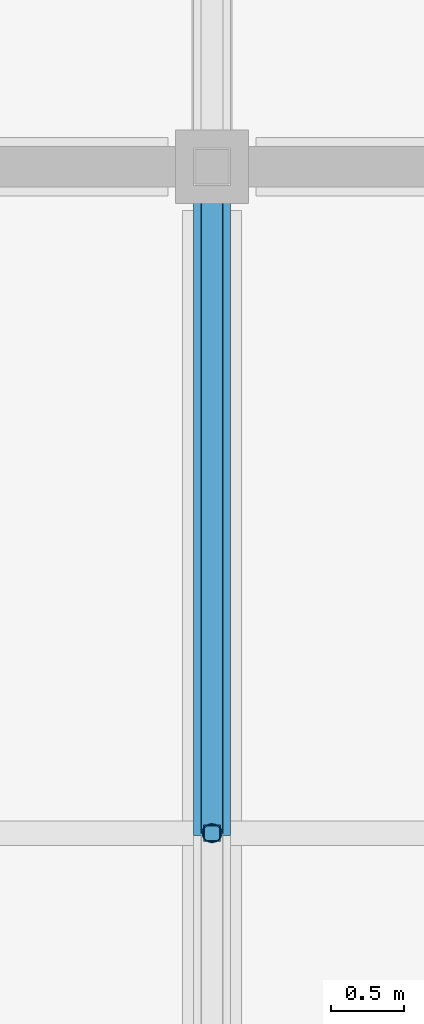
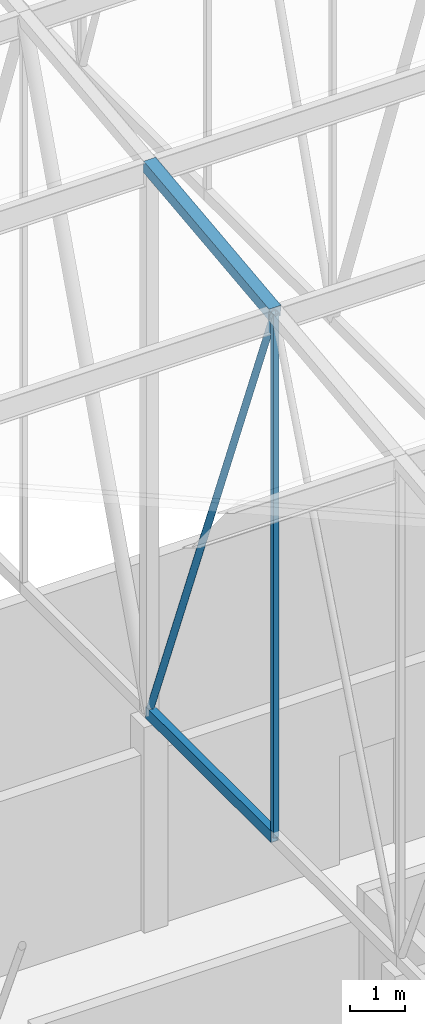
# One storey, part 155 of 500: 4 members.
"""IFC4 building model written with IfcOpenShell, lengths in metres."""

from ifc_helpers import new_model, si_unit, direction, frame, origin, origin_2d, place, context, subcontext, project, spatial, hollow_rectangle, hollow_circle, extrude, material, material_profile, profile_set, type_object, element, save


model = new_model("IFC4")

# Units and contexts
model_context = context("Model", 3, precision=1e-05, world=origin(), true_north=direction((0.0, 1.0)))
body_context = subcontext(model_context, "Body", "Model", "MODEL_VIEW")
ifc_project = project(units=[si_unit("LENGTHUNIT", "METRE"), si_unit("AREAUNIT", "SQUARE_METRE"), si_unit("VOLUMEUNIT", "CUBIC_METRE"), si_unit("PLANEANGLEUNIT", "RADIAN"), si_unit("MASSUNIT", "GRAM", prefix="KILO")], contexts=[model_context])

# Site, building, storey
site_placement = place(None, origin())
site = spatial("IfcSite", under=ifc_project, at=site_placement, CompositionType="ELEMENT")
building_placement = place(site_placement, origin())
building = spatial("IfcBuilding", under=site, at=building_placement, Name="Shirokan Park Arena", CompositionType="ELEMENT")
storey_placement = place(building_placement, frame((0.0, 0.0, 29.1201171875)))
storey = spatial("IfcBuildingStorey", under=building, at=storey_placement, Name="L06", CompositionType="ELEMENT", Elevation=29.1201171875)

# Members
ifc_material = material(Name="Steel ASTM A500 Grade C", Category="steel")
ifc_material_profile_1 = material_profile(ifc_material, hollow_rectangle(XDim=0.152099609375, YDim=0.25390625, WallThickness=0.009521484375, at=origin_2d()), Name="HSS254X152.4X9.5")
ifc_profile_set_1 = profile_set([ifc_material_profile_1], Name="Steel ASTM A500 Grade C")
member_type_1 = type_object("IfcMemberType", Name="Bottom chord HSS254X152.4X9.5", PredefinedType="CHORD", material=ifc_profile_set_1)
member_1_placement = place(storey_placement, frame((118.300048828125, 31.85009765625, 4.677001953125), z_axis=(0.0, 1.0, 0.0), x_axis=(-1.0, 0.0, 0.0)))
element("IfcMember", 1, at=member_1_placement, inside=storey, type_object=member_type_1, Name="Truss T14 bottom chord 10", PredefinedType="CHORD", context=body_context, shape_type="SweptSolid", body=[
    extrude(hollow_rectangle(XDim=0.152099609375, YDim=0.25390625, WallThickness=0.009521484375, at=origin_2d()), origin(), (0.0, 0.0, 1.0), 4.5498046875),
])
ifc_material_profile_2 = material_profile(ifc_material, hollow_rectangle(XDim=0.25390625, YDim=0.25390625, WallThickness=0.009521484375, at=origin_2d()), Name="HSS254X254X9.5")
ifc_profile_set_2 = profile_set([ifc_material_profile_2], Name="Steel ASTM A500 Grade C")
member_type_2 = type_object("IfcMemberType", Name="Top chord HSS254X254X9.5", PredefinedType="CHORD", material=ifc_profile_set_2)
member_2_placement = place(storey_placement, frame((118.300048828125, 31.85009765625, 16.262939453125), z_axis=(0.0, 0.993531641592, 0.11355561261), x_axis=(-1.0, 0.0, 0.0)))
element("IfcMember", 2, at=member_2_placement, inside=storey, type_object=member_type_2, Name="Truss T14 top chord 10", PredefinedType="CHORD", context=body_context, shape_type="SweptSolid", body=[
    extrude(hollow_rectangle(XDim=0.25390625, YDim=0.25390625, WallThickness=0.009521484375, at=origin_2d()), origin(), (0.0, 0.0, 1.0), 4.579345703125),
])
ifc_material_profile_3 = material_profile(ifc_material, hollow_circle(Radius=0.070556640625, WallThickness=0.006591796875, at=origin_2d()), Name="HSS141.3X6.6")
ifc_profile_set_3 = profile_set([ifc_material_profile_3], Name="Steel ASTM A500 Grade C")
member_type_3 = type_object("IfcMemberType", Name="Truss diagonal HSS141.3X6.6", PredefinedType="BRACE", material=ifc_profile_set_3)
member_3_placement = place(storey_placement, frame((118.300048828125, 31.85009765625, 16.262939453125), z_axis=(0.0, 0.365526146051, -0.930801072493), x_axis=(-1.0, 0.0, 0.0)))
element("IfcMember", 3, at=member_3_placement, inside=storey, type_object=member_type_3, Name="Truss T14 diagonal 10", PredefinedType="BRACE", context=body_context, shape_type="SweptSolid", body=[
    extrude(hollow_circle(Radius=0.070556640625, WallThickness=0.006591796875, at=origin_2d()), origin(), (0.0, 0.0, 1.0), 12.447265625),
])
ifc_material_profile_4 = material_profile(ifc_material, hollow_rectangle(XDim=0.114013671875, YDim=0.114013671875, WallThickness=0.00634765625, at=origin_2d()), Name="HSS114.3X114.3X6.4")
ifc_profile_set_4 = profile_set([ifc_material_profile_4], Name="Steel ASTM A500 Grade C")
member_type_4 = type_object("IfcMemberType", Name="Truss post HSS114.3X114.3X6.4", PredefinedType="POST", material=ifc_profile_set_4)
member_4_placement = place(storey_placement, frame((118.300048828125, 31.85009765625, 4.677001953125), z_axis=(0.0, 0.0, 1.0), x_axis=(1.0, 0.0, 0.0)))
element("IfcMember", 4, at=member_4_placement, inside=storey, type_object=member_type_4, Name="Truss T14 post 10", PredefinedType="POST", context=body_context, shape_type="SweptSolid", body=[
    extrude(hollow_rectangle(XDim=0.114013671875, YDim=0.114013671875, WallThickness=0.00634765625, at=origin_2d()), origin(), (0.0, 0.0, 1.0), 11.5859375),
])

save(model, "model.ifc")
